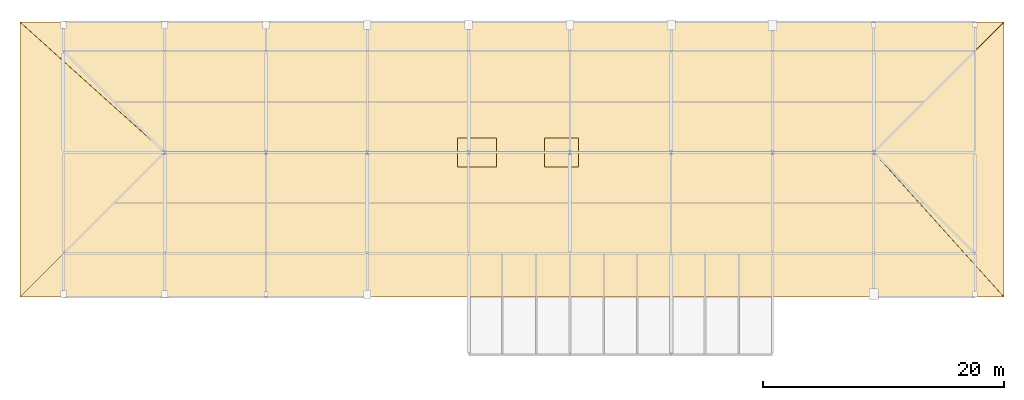
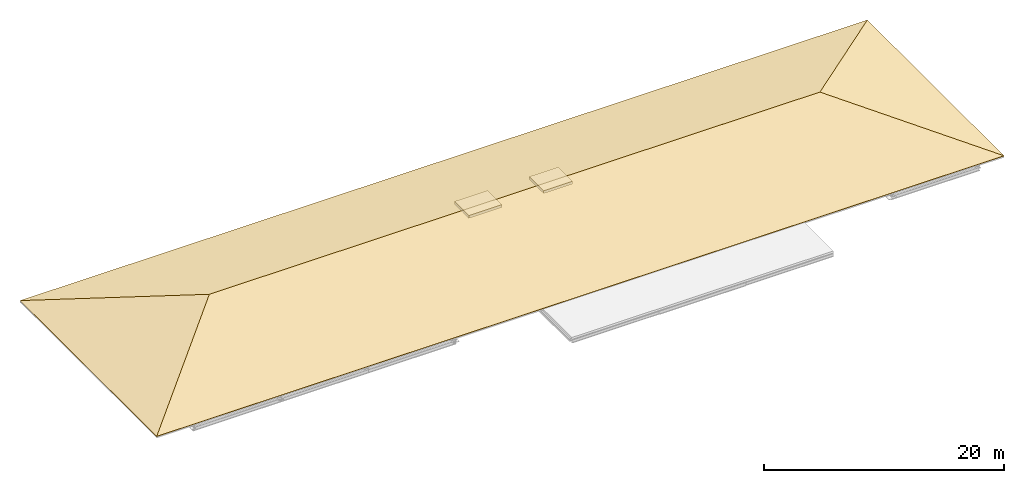
# One storey, part 5 of 5: 6 coverings.
"""IFC4 building model written with IfcOpenShell, lengths in metres."""

import ifcopenshell
import ifcopenshell.guid

model = None  # the IFC model being written
_history = None  # IfcOwnerHistory: only IFC2X3 demands one
_inside = {}  # id of a spatial element -> (the spatial element, [elements in it])
_under = {}  # id of a project, library or spatial element -> (it, [spatial elements below it])
_declared = {}  # id of a project -> (the project, [libraries it declares])
_typed = {}  # id of a type object -> (the type object, [elements of that type])
_made_of = {}  # id of a material, layer set ... -> (it, [elements and type objects made of it])


def new_model(schema):
    """Start an empty IFC model of exactly this schema.

    Asked for "IFC4X3", IfcOpenShell would pick the latest addendum, in which some entities
    have other attributes; the version numbers below select the first issue.
    IFC2X3 requires an IfcOwnerHistory on every rooted entity: one is made here for all.
    """
    global model, _history
    if schema == "IFC4X3":
        model = ifcopenshell.file(schema_version=(4, 3, 0, 0))
    else:
        model = ifcopenshell.file(schema=schema)
    _inside.clear()
    _under.clear()
    _declared.clear()
    _typed.clear()
    _made_of.clear()
    _history = None
    if model.schema == "IFC2X3":
        org = make("IfcOrganization", Name="unknown")
        user = make(
            "IfcPersonAndOrganization",
            ThePerson=make("IfcPerson", FamilyName="unknown"),
            TheOrganization=org,
        )
        app = make(
            "IfcApplication",
            ApplicationDeveloper=org,
            Version="unknown",
            ApplicationFullName="unknown",
            ApplicationIdentifier="unknown",
        )
        _history = make(
            "IfcOwnerHistory",
            OwningUser=user,
            OwningApplication=app,
            ChangeAction="ADDED",
            CreationDate=0,
        )
    return model


def make(cls, **values):
    """One entity of the class cls with the attributes given. An attribute that is None is left unset."""
    return model.create_entity(
        cls, **{name: value for name, value in values.items() if value is not None}
    )


def rooted(cls, **values):
    """An entity with a GlobalId (a new one), such as an element, a storey or a relation."""
    return make(cls, GlobalId=ifcopenshell.guid.new(), OwnerHistory=_history, **values)


def si_unit(unit_type, name, prefix=None):
    """IfcSIUnit, for example si_unit("LENGTHUNIT", "METRE", prefix="MILLI")."""
    return make("IfcSIUnit", UnitType=unit_type, Prefix=prefix, Name=name)


def assignment(units):
    """IfcUnitAssignment: the units of a project."""
    return None if units is None else make("IfcUnitAssignment", Units=units)


def point(xyz):
    """IfcCartesianPoint."""
    return None if xyz is None else make("IfcCartesianPoint", Coordinates=xyz)


def direction(xyz):
    """IfcDirection."""
    return None if xyz is None else make("IfcDirection", DirectionRatios=xyz)


def frame(location, z_axis=None, x_axis=None):
    """IfcAxis2Placement3D, a coordinate frame: its origin and axes. An axis left out is left unset."""
    return make(
        "IfcAxis2Placement3D",
        Location=point(location),
        Axis=direction(z_axis),
        RefDirection=direction(x_axis),
    )


def frame_2d(location, x_axis=None):
    """IfcAxis2Placement2D, a coordinate frame in the plane: its origin and x axis."""
    return make(
        "IfcAxis2Placement2D", Location=point(location), RefDirection=direction(x_axis)
    )


def origin():
    """The frame at (0, 0, 0) with its axes left unset."""
    return frame((0.0, 0.0, 0.0))


def origin_2d():
    """The frame at (0, 0) in the plane with its x axis left unset."""
    return frame_2d((0.0, 0.0))


def place(relative_to, where):
    """IfcLocalPlacement: puts the frame where relative to a parent placement (None: the world)."""
    return make(
        "IfcLocalPlacement", PlacementRelTo=relative_to, RelativePlacement=where
    )


def context(
    kind, dimensions, precision=None, world=None, true_north=None, identifier=None
):
    """IfcGeometricRepresentationContext, for example the 3D "Model" context."""
    return make(
        "IfcGeometricRepresentationContext",
        ContextIdentifier=identifier,
        ContextType=kind,
        CoordinateSpaceDimension=dimensions,
        Precision=precision,
        WorldCoordinateSystem=world,
        TrueNorth=true_north,
    )


def subcontext(parent, identifier, kind, view, scale=None):
    """IfcGeometricRepresentationSubContext, for example "Body" below "Model"."""
    return make(
        "IfcGeometricRepresentationSubContext",
        ContextIdentifier=identifier,
        ContextType=kind,
        ParentContext=parent,
        TargetScale=scale,
        TargetView=view,
    )


def project(units=None, contexts=None):
    """IfcProject with its units and contexts."""
    return rooted(
        "IfcProject",
        Name="project",
        RepresentationContexts=contexts,
        UnitsInContext=assignment(units),
    )


def spatial(cls, under=None, at=None, **own):
    """A site, building, storey or space (cls), placed at a placement, below another one or the project."""
    s = rooted(cls, ObjectPlacement=at, **own)
    if under is not None:
        _under.setdefault(under.id(), (under, []))[1].append(s)
    return s


def polyline(points):
    """IfcPolyline through the points."""
    return make("IfcPolyline", Points=[point(p) for p in points])


def profile(cls, at=None, kind="AREA", **sizes):
    """A parametric profile (cls). Its sizes go by their IFC names, for example OverallWidth=200.0."""
    return make(cls, ProfileType=kind, Position=at, **sizes)


def rectangle(**sizes):
    """IfcRectangleProfileDef."""
    return profile("IfcRectangleProfileDef", **sizes)


def outline(outer, holes=None, kind="AREA"):
    """IfcArbitraryClosedProfileDef: a profile drawn as a closed curve; with holes, ...WithVoids."""
    if holes is None:
        return make("IfcArbitraryClosedProfileDef", ProfileType=kind, OuterCurve=outer)
    return make(
        "IfcArbitraryProfileDefWithVoids",
        ProfileType=kind,
        OuterCurve=outer,
        InnerCurves=holes,
    )


def extrude(swept, where, along, depth):
    """IfcExtrudedAreaSolid: the profile swept, set in the frame where, extruded along a direction by depth."""
    return make(
        "IfcExtrudedAreaSolid",
        SweptArea=swept,
        Position=where,
        ExtrudedDirection=direction(along),
        Depth=depth,
    )


def shape(context_of_items, identifier, shape_type, items):
    """IfcShapeRepresentation: the items that make up one representation, for example the "Body"."""
    return make(
        "IfcShapeRepresentation",
        ContextOfItems=context_of_items,
        RepresentationIdentifier=identifier,
        RepresentationType=shape_type,
        Items=items,
    )


def material(Name=None, Category=None):
    """IfcMaterial."""
    return make("IfcMaterial", Name=Name, Category=Category)


def layer(
    of_material, thickness, ventilated=None, Name=None, Category=None, Priority=None
):
    """IfcMaterialLayer: one layer of a wall or slab, of a material (None: an air gap)."""
    return make(
        "IfcMaterialLayer",
        Material=of_material,
        LayerThickness=thickness,
        IsVentilated=ventilated,
        Name=Name,
        Category=Category,
        Priority=Priority,
    )


def layer_set(layers, Name=None):
    """IfcMaterialLayerSet."""
    return make("IfcMaterialLayerSet", MaterialLayers=layers, LayerSetName=Name)


def made_of(thing, what):
    """Note that an element or type object is made of a material, layer set ...; save() writes the relation."""
    if what is not None:
        _made_of.setdefault(what.id(), (what, []))[1].append(thing)
    return thing


def type_object(cls, material=None, **own):
    """A type object (cls), such as IfcWallType, which elements share."""
    return made_of(rooted(cls, **own), material)


def element(
    cls,
    number,
    at=None,
    inside=None,
    cuts=None,
    type_object=None,
    material=None,
    context=None,
    identifier="Body",
    shape_type=None,
    held_by="IfcProductDefinitionShape",
    body=None,
    shapes=None,
    **own,
):
    """One element of the class cls, such as IfcWall. Its Tag is "e" and its number.

    at: its placement. inside: the storey or other place that contains it. cuts: it is an
    opening in that element (IfcRelVoidsElement). A single representation is given by context,
    identifier, shape_type and body (its items); several are given by shapes. held_by: the class
    of the entity that holds the representations. save() writes the other relations.
    """
    e = rooted(cls, Tag="e%d" % number, ObjectPlacement=at, **own)
    if body is not None:
        shapes = [shape(context, identifier, shape_type, body)]
    if shapes is not None:
        e.Representation = make(held_by, Representations=shapes)
    if inside is not None:
        _inside.setdefault(inside.id(), (inside, []))[1].append(e)
    if cuts is not None:
        rooted(
            "IfcRelVoidsElement", RelatingBuildingElement=cuts, RelatedOpeningElement=e
        )
    if type_object is not None:
        _typed.setdefault(type_object.id(), (type_object, []))[1].append(e)
    return made_of(e, material)


def aggregate(whole, parts):
    """IfcRelAggregates: a whole, such as a stair, and the parts it consists of."""
    return rooted("IfcRelAggregates", RelatingObject=whole, RelatedObjects=parts)


def save(model, path):
    """Write the relations noted so far, then the file.

    IfcRelAggregates (storeys below a building ...), IfcRelContainedInSpatialStructure (elements
    in a storey), IfcRelDefinesByType, IfcRelAssociatesMaterial and IfcRelDeclares: one each for
    every whole, place, type object, material and project.
    """
    for whole, parts in _under.values():
        aggregate(whole, parts)
    for where, things in _inside.values():
        rooted(
            "IfcRelContainedInSpatialStructure",
            RelatedElements=things,
            RelatingStructure=where,
        )
    for kind, things in _typed.values():
        rooted("IfcRelDefinesByType", RelatedObjects=things, RelatingType=kind)
    for what, things in _made_of.values():
        rooted("IfcRelAssociatesMaterial", RelatedObjects=things, RelatingMaterial=what)
    for by, libraries in _declared.values():
        rooted("IfcRelDeclares", RelatingContext=by, RelatedDefinitions=libraries)
    model.write(path)


model = new_model("IFC4")

# Units and contexts
model_context = context("Model", 3, precision=1e-05, world=origin(), true_north=direction((0.0, 1.0)))
body_context = subcontext(model_context, "Body", "Model", "MODEL_VIEW")
ifc_project = project(units=[si_unit("LENGTHUNIT", "METRE"), si_unit("AREAUNIT", "SQUARE_METRE"), si_unit("VOLUMEUNIT", "CUBIC_METRE"), si_unit("PLANEANGLEUNIT", "RADIAN"), si_unit("MASSUNIT", "GRAM", prefix="KILO")], contexts=[model_context])

# Site, building, storey
site_placement = place(None, origin())
site = spatial("IfcSite", under=ifc_project, at=site_placement, CompositionType="ELEMENT")
building_placement = place(site_placement, origin())
building = spatial("IfcBuilding", under=site, at=building_placement, Name="Mersafa Astral City Hall", CompositionType="ELEMENT")
storey_placement = place(building_placement, frame((0.0, 0.0, 34.35009765625)))
storey = spatial("IfcBuildingStorey", under=building, at=storey_placement, Name="RF", CompositionType="ELEMENT", Elevation=34.35009765625)

# Coverings
ifc_material_1 = material(Name="Egyptian ceramic terracotta roof tile", Category="masonry")
ifc_layer = layer(ifc_material_1, 0.054931640625, Name="Egyptian ceramic terracotta roof tile")
ifc_layer_set = layer_set([ifc_layer], Name="Egyptian ceramic terracotta roof tile — ENV-COV-TERRACOTTA-55")
covering_type_1 = type_object("IfcCoveringType", Name="ENV-COV-TERRACOTTA-55", PredefinedType="ROOFING", material=ifc_layer_set)
covering_1_placement = place(storey_placement, frame((105.60009765625, 105.60009765625, 0.052978515625), z_axis=(0.0, -0.24192245324, 0.970295587241), x_axis=(1.0, 0.0, 0.0)))
element("IfcCovering", 1, at=covering_1_placement, inside=storey, type_object=covering_type_1, Name="RF Warm terracotta ceramic roof tile covering 39", PredefinedType="ROOFING", context=body_context, shape_type="SweptSolid", body=[
    extrude(outline(polyline([(0.0, 0.0), (81.599853515625, 0.0), (70.7998046875, 12.367365324340836), (12.0, 12.367365324340836), (0.0, 0.0)])), origin(), (0.0, 0.0, -1.0), 0.054931640625),
])
covering_2_placement = place(storey_placement, frame((187.199951171875, 128.39990234375, 0.052978515625), z_axis=(0.0, 0.266980873108, 0.963701828054), x_axis=(-1.0, 0.0, 0.0)))
element("IfcCovering", 2, at=covering_2_placement, inside=storey, type_object=covering_type_1, Name="RF Warm terracotta ceramic roof tile covering 40", PredefinedType="ROOFING", context=body_context, shape_type="SweptSolid", body=[
    extrude(outline(polyline([(0.0, 0.0), (81.599853515625, 0.0), (69.599853515625, 11.206583170344791), (10.800048828125, 11.206583170344791), (0.0, 0.0)])), origin(), (0.0, 0.0, -1.0), 0.054931640625),
])
covering_3_placement = place(storey_placement, frame((105.60009765625, 128.39990234375, 0.052978515625), z_axis=(-0.24192245324, 0.0, 0.970295587241), x_axis=(0.0, -1.0, 0.0)))
element("IfcCovering", 3, at=covering_3_placement, inside=storey, type_object=covering_type_1, Name="RF Warm terracotta ceramic roof tile covering 41", PredefinedType="ROOFING", context=body_context, shape_type="SweptSolid", body=[
    extrude(outline(polyline([(0.0, 0.0), (22.7998046875, 0.0), (10.7998046875, 12.367365324340838), (0.0, 0.0)])), origin(), (0.0, 0.0, -1.0), 0.054931640625),
])
covering_4_placement = place(storey_placement, frame((187.199951171875, 105.60009765625, 0.052978515625), z_axis=(0.26697526804, 0.0, 0.963703380847), x_axis=(0.0, 1.0, 0.0)))
element("IfcCovering", 4, at=covering_4_placement, inside=storey, type_object=covering_type_1, Name="RF Warm terracotta ceramic roof tile covering 42", PredefinedType="ROOFING", context=body_context, shape_type="SweptSolid", body=[
    extrude(outline(polyline([(0.0, 0.0), (22.7998046875, 0.0), (12.0, 11.20681844930096), (0.0, 0.0)])), origin(), (0.0, 0.0, -1.0), 0.054931640625),
])
ifc_material_2 = material(Name="Laminated solar control double skylight glazing", Category="glass")
covering_type_2 = type_object("IfcCoveringType", Name="ENV-SKY-SK-03", PredefinedType="MEMBRANE", material=ifc_material_2)
covering_5_placement = place(storey_placement, frame((143.5, 117.60009765625, 2.99169921875), z_axis=(0.0, 0.0, 1.0), x_axis=(1.0, 0.0, 0.0)))
element("IfcCovering", 5, at=covering_5_placement, inside=storey, type_object=covering_type_2, Name="RF Civic Roof Lantern Skylight 9", PredefinedType="MEMBRANE", context=body_context, shape_type="SweptSolid", body=[
    extrude(rectangle(XDim=3.199951171875, YDim=2.39990234375, at=origin_2d()), origin(), (0.0, 0.0, 1.0), 0.280029296875),
])
covering_type_3 = type_object("IfcCoveringType", Name="ENV-SKY-SK-04", PredefinedType="MEMBRANE", material=ifc_material_2)
covering_6_placement = place(storey_placement, frame((150.5, 117.60009765625, 2.99169921875), z_axis=(0.0, 0.0, 1.0), x_axis=(1.0, 0.0, 0.0)))
element("IfcCovering", 6, at=covering_6_placement, inside=storey, type_object=covering_type_3, Name="RF Civic Roof Lantern Skylight 10", PredefinedType="MEMBRANE", context=body_context, shape_type="SweptSolid", body=[
    extrude(rectangle(XDim=2.800048828125, YDim=2.39990234375, at=origin_2d()), origin(), (0.0, 0.0, 1.0), 0.280029296875),
])

save(model, "model.ifc")
